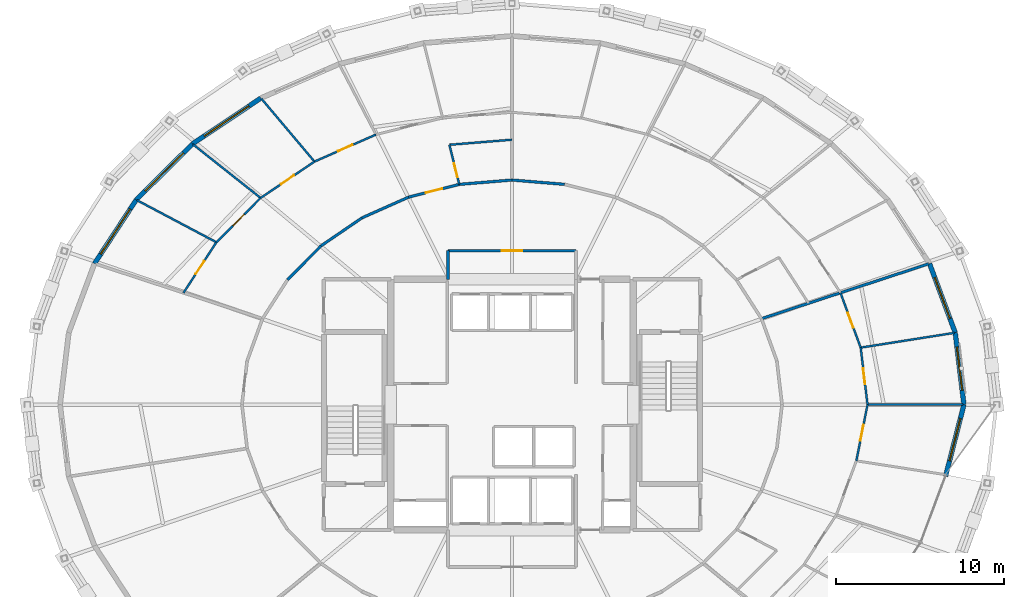
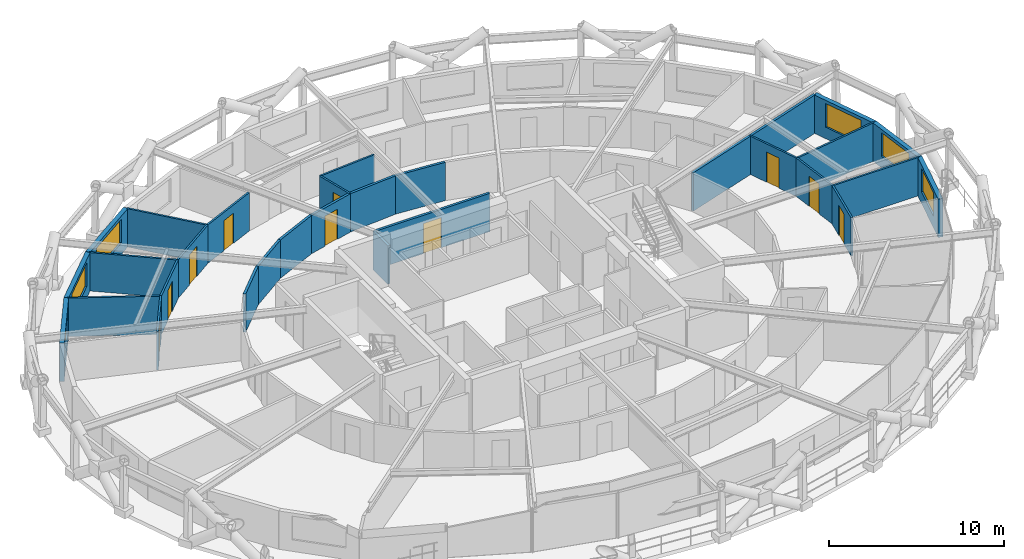
# One storey, part 18 of 23: 29 walls, 10 doors, 6 windows, 16 openings.
"""IFC4 building model written with IfcOpenShell, lengths in metres."""

from ifc_helpers import new_model, si_unit, direction, frame, frame_2d, origin, place, context, subcontext, project, spatial, rectangle, extrude, material, layer, layer_set, type_object, element, fill, save


model = new_model("IFC4")

# Units and contexts
model_context = context("Model", 3, precision=1e-05, world=origin(), true_north=direction((0.0, 1.0)))
body_context = subcontext(model_context, "Body", "Model", "MODEL_VIEW")
ifc_project = project(units=[si_unit("LENGTHUNIT", "METRE"), si_unit("AREAUNIT", "SQUARE_METRE"), si_unit("VOLUMEUNIT", "CUBIC_METRE"), si_unit("PLANEANGLEUNIT", "RADIAN"), si_unit("MASSUNIT", "GRAM", prefix="KILO")], contexts=[model_context])

# Site, building, storey
site_placement = place(None, origin())
site = spatial("IfcSite", under=ifc_project, at=site_placement, CompositionType="ELEMENT")
building_placement = place(site_placement, origin())
building = spatial("IfcBuilding", under=site, at=building_placement, Name="Veldorina Hangang Commons", CompositionType="ELEMENT")
storey_placement = place(building_placement, frame((0.0, 0.0, 102.39990234375)))
storey = spatial("IfcBuildingStorey", under=building, at=storey_placement, Name="L26", CompositionType="ELEMENT", Elevation=102.39990234375)

# Wall, opening, window
ifc_material_1 = material(Name="Stone Roman Travertine", Category="masonry")
ifc_layer_1 = layer(ifc_material_1, 0.280029296875)
ifc_layer_set_1 = layer_set([ifc_layer_1], Name="Stone Roman Travertine")
wall_type_1 = type_object("IfcWallType", Name="EW-TRAV-280", PredefinedType="STANDARD", material=ifc_layer_set_1)
wall_1_placement = place(storey_placement, frame((58.859619140625, 24.0, 0.0), z_axis=(0.0, 0.0, 1.0), x_axis=(-0.119853881621, 0.992791542601, 0.0)))
wall_1 = element("IfcWall", 1, at=wall_1_placement, inside=storey, type_object=wall_type_1, Name="L26 travertine facade wall 00", PredefinedType="STANDARD", context=body_context, shape_type="SweptSolid", body=[
    extrude(rectangle(XDim=4.30615234375, YDim=0.280029296875, at=frame_2d((2.153076171875, 0.0))), origin(), (0.0, 0.0, 1.0), 2.670166015625),
])
opening_1_placement = place(wall_1_placement, frame((0.85302734375, 0.0, 0.800048828125)))
opening_1 = element("IfcOpeningElement", 2, at=opening_1_placement, cuts=wall_1, Name="Opening W-02", PredefinedType="OPENING", context=body_context, shape_type="SweptSolid", body=[
    extrude(rectangle(XDim=2.60009765625, YDim=1.64990234375, at=frame_2d((1.300048828125, 0.824951171875))), frame((0.0, 0.14990234375, 0.0), z_axis=(0.0, -1.0, 0.0), x_axis=(1.0, 0.0, 0.0)), (0.0, 0.0, 1.0), 0.300048828125),
])
ifc_material_2 = material(Name="Glass Low-E Triple IGU", Category="glass")
window_type_1 = type_object("IfcWindowType", Name="WIN-TWR-2600", PartitioningType="SINGLE_PANEL", PredefinedType="WINDOW", material=ifc_material_2)
window_1_placement = place(opening_1_placement, origin())
window_1 = element("IfcWindow", 3, at=window_1_placement, inside=storey, type_object=window_type_1, Name="L26 facade window 00", OverallHeight=1.64990234375, OverallWidth=2.60009765625, PartitioningType="SINGLE_PANEL", PredefinedType="WINDOW", context=body_context, shape_type="SweptSolid", body=[
    extrude(rectangle(XDim=2.60009765625, YDim=1.64990234375, at=frame_2d((1.300048828125, 0.824951171875))), frame((0.0, 0.030029296875, 0.0), z_axis=(0.0, -1.0, 0.0), x_axis=(1.0, 0.0, 0.0)), (0.0, 0.0, 1.0), 0.06005859375),
])
fill(opening_1, window_1)

wall_2_placement = place(storey_placement, frame((58.343505859375, 28.275146484375, 0.0), z_axis=(0.0, 0.0, 1.0), x_axis=(-0.3485233369, 0.937300103295, 0.0)))
wall_2 = element("IfcWall", 4, at=wall_2_placement, inside=storey, type_object=wall_type_1, Name="L26 travertine facade wall 01", PredefinedType="STANDARD", context=body_context, shape_type="SweptSolid", body=[
    extrude(rectangle(XDim=4.3857421875, YDim=0.280029296875, at=frame_2d((2.19287109375, 0.0))), origin(), (0.0, 0.0, 1.0), 2.670166015625),
])
opening_2_placement = place(wall_2_placement, frame((0.892822265625, 0.0, 0.800048828125)))
opening_2 = element("IfcOpeningElement", 5, at=opening_2_placement, cuts=wall_2, Name="Opening W-02", PredefinedType="OPENING", context=body_context, shape_type="SweptSolid", body=[
    extrude(rectangle(XDim=2.60009765625, YDim=1.64990234375, at=frame_2d((1.300048828125, 0.824951171875))), frame((0.0, 0.14990234375, 0.0), z_axis=(0.0, -1.0, 0.0), x_axis=(1.0, 0.0, 0.0)), (0.0, 0.0, 1.0), 0.300048828125),
])
window_2_placement = place(opening_2_placement, origin())
window_2 = element("IfcWindow", 6, at=window_2_placement, inside=storey, type_object=window_type_1, Name="L26 facade window 01", OverallHeight=1.64990234375, OverallWidth=2.60009765625, PartitioningType="SINGLE_PANEL", PredefinedType="WINDOW", context=body_context, shape_type="SweptSolid", body=[
    extrude(rectangle(XDim=2.60009765625, YDim=1.64990234375, at=frame_2d((1.300048828125, 0.824951171875))), frame((0.0, 0.030029296875, 0.0), z_axis=(0.0, -1.0, 0.0), x_axis=(1.0, 0.0, 0.0)), (0.0, 0.0, 1.0), 0.06005859375),
])
fill(opening_2, window_2)

wall_3_placement = place(storey_placement, frame((17.07763671875, 42.220703125, 0.0), z_axis=(0.0, 0.0, 1.0), x_axis=(-0.830936801798, -0.556366813728, 0.0)))
wall_3 = element("IfcWall", 7, at=wall_3_placement, inside=storey, type_object=wall_type_1, Name="L26 travertine facade wall 11", PredefinedType="STANDARD", context=body_context, shape_type="SweptSolid", body=[
    extrude(rectangle(XDim=4.8984375, YDim=0.280029296875, at=frame_2d((2.44921875, 0.0))), origin(), (0.0, 0.0, 1.0), 2.670166015625),
])
opening_3_placement = place(wall_3_placement, frame((0.84912109375, 0.0, 0.800048828125)))
opening_3 = element("IfcOpeningElement", 8, at=opening_3_placement, cuts=wall_3, Name="Opening W-01", PredefinedType="OPENING", context=body_context, shape_type="SweptSolid", body=[
    extrude(rectangle(XDim=3.199951171875, YDim=1.64990234375, at=frame_2d((1.60009765625, 0.824951171875))), frame((0.0, 0.14990234375, 0.0), z_axis=(0.0, -1.0, 0.0), x_axis=(1.0, 0.0, 0.0)), (0.0, 0.0, 1.0), 0.300048828125),
])
window_type_2 = type_object("IfcWindowType", Name="WIN-TWR-3200", PartitioningType="SINGLE_PANEL", PredefinedType="WINDOW", material=ifc_material_2)
window_3_placement = place(opening_3_placement, origin())
window_3 = element("IfcWindow", 9, at=window_3_placement, inside=storey, type_object=window_type_2, Name="L26 facade window 11", OverallHeight=1.64990234375, OverallWidth=3.199951171875, PartitioningType="SINGLE_PANEL", PredefinedType="WINDOW", context=body_context, shape_type="SweptSolid", body=[
    extrude(rectangle(XDim=3.199951171875, YDim=1.64990234375, at=frame_2d((1.60009765625, 0.824951171875))), frame((0.0, 0.030029296875, 0.0), z_axis=(0.0, -1.0, 0.0), x_axis=(1.0, 0.0, 0.0)), (0.0, 0.0, 1.0), 0.06005859375),
])
fill(opening_3, window_3)

wall_4_placement = place(storey_placement, frame((13.00732421875, 39.495361328125, 0.0), z_axis=(0.0, 0.0, 1.0), x_axis=(-0.709177055594, -0.705030427583, 0.0)))
wall_4 = element("IfcWall", 10, at=wall_4_placement, inside=storey, type_object=wall_type_1, Name="L26 travertine facade wall 12", PredefinedType="STANDARD", context=body_context, shape_type="SweptSolid", body=[
    extrude(rectangle(XDim=4.710205078125, YDim=0.280029296875, at=frame_2d((2.35498046875, 0.0))), origin(), (0.0, 0.0, 1.0), 2.670166015625),
])
opening_4_placement = place(wall_4_placement, frame((0.7548828125, 0.0, 0.800048828125)))
opening_4 = element("IfcOpeningElement", 11, at=opening_4_placement, cuts=wall_4, Name="Opening W-01", PredefinedType="OPENING", context=body_context, shape_type="SweptSolid", body=[
    extrude(rectangle(XDim=3.199951171875, YDim=1.64990234375, at=frame_2d((1.60009765625, 0.824951171875))), frame((0.0, 0.14990234375, 0.0), z_axis=(0.0, -1.0, 0.0), x_axis=(1.0, 0.0, 0.0)), (0.0, 0.0, 1.0), 0.300048828125),
])
window_4_placement = place(opening_4_placement, origin())
window_4 = element("IfcWindow", 12, at=window_4_placement, inside=storey, type_object=window_type_2, Name="L26 facade window 12", OverallHeight=1.64990234375, OverallWidth=3.199951171875, PartitioningType="SINGLE_PANEL", PredefinedType="WINDOW", context=body_context, shape_type="SweptSolid", body=[
    extrude(rectangle(XDim=3.199951171875, YDim=1.64990234375, at=frame_2d((1.60009765625, 0.824951171875))), frame((0.0, 0.030029296875, 0.0), z_axis=(0.0, -1.0, 0.0), x_axis=(1.0, 0.0, 0.0)), (0.0, 0.0, 1.0), 0.06005859375),
])
fill(opening_4, window_4)

wall_5_placement = place(storey_placement, frame((9.6669921875, 36.174560546875, 0.0), z_axis=(0.0, 0.0, 1.0), x_axis=(-0.547989842324, -0.836484986542, 0.0)))
wall_5 = element("IfcWall", 13, at=wall_5_placement, inside=storey, type_object=wall_type_1, Name="L26 travertine facade wall 13", PredefinedType="STANDARD", context=body_context, shape_type="SweptSolid", body=[
    extrude(rectangle(XDim=4.529052734375, YDim=0.280029296875, at=frame_2d((2.2646484375, 0.0))), origin(), (0.0, 0.0, 1.0), 2.670166015625),
])
opening_5_placement = place(wall_5_placement, frame((0.66455078125, 0.0, 0.800048828125)))
opening_5 = element("IfcOpeningElement", 14, at=opening_5_placement, cuts=wall_5, Name="Opening W-01", PredefinedType="OPENING", context=body_context, shape_type="SweptSolid", body=[
    extrude(rectangle(XDim=3.199951171875, YDim=1.64990234375, at=frame_2d((1.60009765625, 0.824951171875))), frame((0.0, 0.14990234375, 0.0), z_axis=(0.0, -1.0, 0.0), x_axis=(1.0, 0.0, 0.0)), (0.0, 0.0, 1.0), 0.300048828125),
])
window_5_placement = place(opening_5_placement, origin())
window_5 = element("IfcWindow", 15, at=window_5_placement, inside=storey, type_object=window_type_2, Name="L26 facade window 13", OverallHeight=1.64990234375, OverallWidth=3.199951171875, PartitioningType="SINGLE_PANEL", PredefinedType="WINDOW", context=body_context, shape_type="SweptSolid", body=[
    extrude(rectangle(XDim=3.199951171875, YDim=1.64990234375, at=frame_2d((1.60009765625, 0.824951171875))), frame((0.0, 0.030029296875, 0.0), z_axis=(0.0, -1.0, 0.0), x_axis=(1.0, 0.0, 0.0)), (0.0, 0.0, 1.0), 0.06005859375),
])
fill(opening_5, window_5)

wall_6_placement = place(storey_placement, frame((57.771484375, 19.7451171875, 0.0), z_axis=(0.0, 0.0, 1.0), x_axis=(0.247764086513, 0.968820394828, 0.0)))
wall_6 = element("IfcWall", 16, at=wall_6_placement, inside=storey, type_object=wall_type_1, Name="L26 travertine facade wall 31", PredefinedType="STANDARD", context=body_context, shape_type="SweptSolid", body=[
    extrude(rectangle(XDim=4.391845703125, YDim=0.280029296875, at=frame_2d((2.19580078125, 0.0))), origin(), (0.0, 0.0, 1.0), 2.670166015625),
])
opening_6_placement = place(wall_6_placement, frame((0.94189453125, 0.0, 0.800048828125)))
opening_6 = element("IfcOpeningElement", 17, at=opening_6_placement, cuts=wall_6, Name="Opening W-02", PredefinedType="OPENING", context=body_context, shape_type="SweptSolid", body=[
    extrude(rectangle(XDim=2.60009765625, YDim=1.64990234375, at=frame_2d((1.300048828125, 0.824951171875))), frame((0.0, 0.14990234375, 0.0), z_axis=(0.0, -1.0, 0.0), x_axis=(1.0, 0.0, 0.0)), (0.0, 0.0, 1.0), 0.300048828125),
])
window_6_placement = place(opening_6_placement, origin())
window_6 = element("IfcWindow", 18, at=window_6_placement, inside=storey, type_object=window_type_1, Name="L26 facade window 31", OverallHeight=1.64990234375, OverallWidth=2.60009765625, PartitioningType="SINGLE_PANEL", PredefinedType="WINDOW", context=body_context, shape_type="SweptSolid", body=[
    extrude(rectangle(XDim=2.60009765625, YDim=1.64990234375, at=frame_2d((1.300048828125, 0.824951171875))), frame((0.0, 0.030029296875, 0.0), z_axis=(0.0, -1.0, 0.0), x_axis=(1.0, 0.0, 0.0)), (0.0, 0.0, 1.0), 0.06005859375),
])
fill(opening_6, window_6)

# Wall
ifc_material_3 = material(Name="Gypsum Fire-Rated Twin Stud Wall", Category="gypsum")
ifc_layer_2 = layer(ifc_material_3, 0.159912109375)
ifc_layer_set_2 = layer_set([ifc_layer_2], Name="Gypsum Fire-Rated Twin Stud Wall")
wall_type_2 = type_object("IfcWallType", Name="WL-FIRE-160", PredefinedType="SOLIDWALL", material=ifc_layer_set_2)
wall_7_placement = place(storey_placement, frame((28.199951171875, 31.449951171875, 0.0), z_axis=(0.0, 0.0, 1.0), x_axis=(0.0, 1.0, 0.0)))
element("IfcWall", 19, at=wall_7_placement, inside=storey, type_object=wall_type_2, Name="L26 North lobby west wall 032", PredefinedType="SOLIDWALL", context=body_context, shape_type="SweptSolid", body=[
    extrude(rectangle(XDim=1.699951171875, YDim=0.159912109375, at=frame_2d((0.85009765625, 0.0))), origin(), (0.0, 0.0, 1.0), 2.670166015625),
])

# Wall, opening, door
wall_8_placement = place(storey_placement, frame((28.199951171875, 33.14990234375, 0.0), z_axis=(0.0, 0.0, 1.0), x_axis=(1.0, 0.0, 0.0)))
wall_8 = element("IfcWall", 20, at=wall_8_placement, inside=storey, type_object=wall_type_2, Name="L26 North lobby north wall 034", PredefinedType="SOLIDWALL", context=body_context, shape_type="SweptSolid", body=[
    extrude(rectangle(XDim=7.60009765625, YDim=0.159912109375, at=frame_2d((3.800048828125, 0.0))), origin(), (0.0, 0.0, 1.0), 2.670166015625),
])
opening_7_placement = place(wall_8_placement, frame((3.199951171875, 0.0, 0.0)))
opening_7 = element("IfcOpeningElement", 21, at=opening_7_placement, cuts=wall_8, Name="Opening D-09", PredefinedType="OPENING", context=body_context, shape_type="SweptSolid", body=[
    extrude(rectangle(XDim=1.199951171875, YDim=2.10009765625, at=frame_2d((0.60009765625, 1.050048828125))), frame((0.0, 0.08984375, 0.0), z_axis=(0.0, -1.0, 0.0), x_axis=(1.0, 0.0, 0.0)), (0.0, 0.0, 1.0), 0.179931640625),
])
ifc_material_4 = material(Name="Steel Fire-Rated Corridor Door", Category="steel")
door_type_1 = type_object("IfcDoorType", Name="DR-FIRE-1200", OperationType="SINGLE_SWING_LEFT", PredefinedType="DOOR", material=ifc_material_4)
door_1_placement = place(opening_7_placement, origin())
door_1 = element("IfcDoor", 22, at=door_1_placement, inside=storey, type_object=door_type_1, Name="L26 North lift lobby corridor door 012", OperationType="SINGLE_SWING_RIGHT", OverallHeight=2.10009765625, OverallWidth=1.199951171875, PredefinedType="DOOR", context=body_context, shape_type="SweptSolid", body=[
    extrude(rectangle(XDim=1.199951171875, YDim=2.10009765625, at=frame_2d((0.60009765625, 1.050048828125))), frame((0.0, 0.02490234375, 0.0), z_axis=(0.0, -1.0, 0.0), x_axis=(1.0, 0.0, 0.0)), (0.0, 0.0, 1.0), 0.050048828125),
])
fill(opening_7, door_1)

# Walls
for number, where, z_axis, x_axis, name in (
    (23, (35.131103515625, 37.093505859375, 0.0), (0.0, 0.0, 1.0), (-0.996658973252, 0.081675522876, 0.0), "L26 Corridor outer wall 07 052"),
    (24, (32.0, 37.35009765625, 0.0), (0.0, 0.0, 1.0), (-0.996658973252, -0.081675522876, 0.0), "L26 Corridor outer wall 08 053"),
):
    element("IfcWall", number, at=place(storey_placement, frame(where, z_axis=z_axis, x_axis=x_axis)), inside=storey, type_object=wall_type_2, Name=name, PredefinedType="SOLIDWALL", context=body_context, shape_type="SweptSolid", body=[
        extrude(rectangle(XDim=3.1416015625, YDim=0.159912109375, at=frame_2d((1.57080078125, 0.0))), origin(), (0.0, 0.0, 1.0), 2.670166015625),
    ])

# Wall, opening, door
wall_9_placement = place(storey_placement, frame((28.868896484375, 37.093505859375, 0.0), z_axis=(0.0, 0.0, 1.0), x_axis=(-0.969608333194, -0.244662380029, 0.0)))
wall_9 = element("IfcWall", 25, at=wall_9_placement, inside=storey, type_object=wall_type_2, Name="L26 Corridor outer wall 09 054", PredefinedType="SOLIDWALL", context=body_context, shape_type="SweptSolid", body=[
    extrude(rectangle(XDim=3.10546875, YDim=0.159912109375, at=frame_2d((1.552734375, 0.0))), origin(), (0.0, 0.0, 1.0), 2.670166015625),
])
opening_8_placement = place(wall_9_placement, frame((1.052734375, 0.0, 0.0)))
opening_8 = element("IfcOpeningElement", 26, at=opening_8_placement, cuts=wall_9, Name="Opening D-06", PredefinedType="OPENING", context=body_context, shape_type="SweptSolid", body=[
    extrude(rectangle(XDim=1.0, YDim=2.10009765625, at=frame_2d((0.5, 1.050048828125))), frame((0.0, 0.08984375, 0.0), z_axis=(0.0, -1.0, 0.0), x_axis=(1.0, 0.0, 0.0)), (0.0, 0.0, 1.0), 0.179931640625),
])
ifc_material_5 = material(Name="Timber Fire-Rated Entrance Core", Category="wood")
door_type_2 = type_object("IfcDoorType", Name="DR-UNIT-1000", OperationType="SINGLE_SWING_LEFT", PredefinedType="DOOR", material=ifc_material_5)
door_2_placement = place(opening_8_placement, origin())
door_2 = element("IfcDoor", 27, at=door_2_placement, inside=storey, type_object=door_type_2, Name="L26 Cluster 4 entrance door 038", OperationType="SINGLE_SWING_RIGHT", OverallHeight=2.10009765625, OverallWidth=1.0, PredefinedType="DOOR", context=body_context, shape_type="SweptSolid", body=[
    extrude(rectangle(XDim=1.0, YDim=2.10009765625, at=frame_2d((0.5, 1.050048828125))), frame((0.0, 0.02490234375, 0.0), z_axis=(0.0, -1.0, 0.0), x_axis=(1.0, 0.0, 0.0)), (0.0, 0.0, 1.0), 0.050048828125),
])
fill(opening_8, door_2)

# Walls
wall_10_placement = place(storey_placement, frame((25.85791015625, 36.333740234375, 0.0), z_axis=(0.0, 0.0, 1.0), x_axis=(-0.913768445178, -0.406235434936, 0.0)))
element("IfcWall", 28, at=wall_10_placement, inside=storey, type_object=wall_type_2, Name="L26 Corridor outer wall 10 055", PredefinedType="SOLIDWALL", context=body_context, shape_type="SweptSolid", body=[
    extrude(rectangle(XDim=3.036865234375, YDim=0.159912109375, at=frame_2d((1.5185546875, 0.0))), origin(), (0.0, 0.0, 1.0), 2.670166015625),
])
wall_11_placement = place(storey_placement, frame((23.0830078125, 35.10009765625, 0.0), z_axis=(0.0, 0.0, 1.0), x_axis=(-0.825929039072, -0.563774088104, 0.0)))
element("IfcWall", 29, at=wall_11_placement, inside=storey, type_object=wall_type_2, Name="L26 Corridor outer wall 11 056", PredefinedType="SOLIDWALL", context=body_context, shape_type="SweptSolid", body=[
    extrude(rectangle(XDim=2.94482421875, YDim=0.159912109375, at=frame_2d((1.472412109375, 0.0))), origin(), (0.0, 0.0, 1.0), 2.670166015625),
])
wall_12_placement = place(storey_placement, frame((20.65087890625, 33.43994140625, 0.0), z_axis=(0.0, 0.0, 1.0), x_axis=(-0.702366174226, -0.711815816981, 0.0)))
element("IfcWall", 30, at=wall_12_placement, inside=storey, type_object=wall_type_2, Name="L26 Corridor outer wall 12 057", PredefinedType="SOLIDWALL", context=body_context, shape_type="SweptSolid", body=[
    extrude(rectangle(XDim=2.842041015625, YDim=0.159912109375, at=frame_2d((1.4208984375, 0.0))), origin(), (0.0, 0.0, 1.0), 2.670166015625),
])
wall_13_placement = place(storey_placement, frame((46.828369140625, 29.10888671875, 0.0), z_axis=(0.0, 0.0, 1.0), x_axis=(0.95015260274, 0.311785232984, 0.0)))
element("IfcWall", 31, at=wall_13_placement, inside=storey, type_object=wall_type_2, Name="L26 Unit party wall 02 096", PredefinedType="SOLIDWALL", context=body_context, shape_type="SweptSolid", body=[
    extrude(rectangle(XDim=10.460693359375, YDim=0.159912109375, at=frame_2d((5.23046875, 0.0))), origin(), (0.0, 0.0, 1.0), 2.670166015625),
])

# Wall, opening, door
ifc_material_6 = material(Name="Gypsum Acoustic Stud Partition", Category="gypsum")
ifc_layer_3 = layer(ifc_material_6, 0.1201171875)
ifc_layer_set_3 = layer_set([ifc_layer_3], Name="Gypsum Acoustic Stud Partition")
wall_type_3 = type_object("IfcWallType", Name="WL-PART-120", PredefinedType="PARTITIONING", material=ifc_layer_set_3)
wall_14_placement = place(storey_placement, frame((52.46630859375, 20.66162109375, 0.0), z_axis=(0.0, 0.0, 1.0), x_axis=(0.195164304361, 0.980770561499, 0.0)))
wall_14 = element("IfcWall", 32, at=wall_14_placement, inside=storey, type_object=wall_type_3, Name="L26 Cluster 2 bed 4 front wall 090", PredefinedType="PARTITIONING", context=body_context, shape_type="SweptSolid", body=[
    extrude(rectangle(XDim=3.40380859375, YDim=0.1201171875, at=frame_2d((1.701904296875, 0.0))), origin(), (0.0, 0.0, 1.0), 2.670166015625),
])
opening_9_placement = place(wall_14_placement, frame((1.226806640625, 0.0, 0.0)))
opening_9 = element("IfcOpeningElement", 33, at=opening_9_placement, cuts=wall_14, Name="Opening D-02", PredefinedType="OPENING", context=body_context, shape_type="SweptSolid", body=[
    extrude(rectangle(XDim=0.949951171875, YDim=2.10009765625, at=frame_2d((0.47509765625, 1.050048828125))), frame((0.0, 0.070068359375, 0.0), z_axis=(0.0, -1.0, 0.0), x_axis=(1.0, 0.0, 0.0)), (0.0, 0.0, 1.0), 0.14013671875),
])
ifc_material_7 = material(Name="Timber Solid Core Acoustic", Category="wood")
door_type_3 = type_object("IfcDoorType", Name="DR-INT-950", OperationType="SINGLE_SWING_LEFT", PredefinedType="DOOR", material=ifc_material_7)
door_3_placement = place(opening_9_placement, origin())
door_3 = element("IfcDoor", 34, at=door_3_placement, inside=storey, type_object=door_type_3, Name="L26 Cluster 2 bed 4 door 026", OperationType="SINGLE_SWING_RIGHT", OverallHeight=2.10009765625, OverallWidth=0.949951171875, PredefinedType="DOOR", context=body_context, shape_type="SweptSolid", body=[
    extrude(rectangle(XDim=0.949951171875, YDim=2.10009765625, at=frame_2d((0.47509765625, 1.050048828125))), frame((0.0, 0.02490234375, 0.0), z_axis=(0.0, -1.0, 0.0), x_axis=(1.0, 0.0, 0.0)), (0.0, 0.0, 1.0), 0.050048828125),
])
fill(opening_9, door_3)

wall_15_placement = place(storey_placement, frame((53.130615234375, 24.0, 0.0), z_axis=(0.0, 0.0, 1.0), x_axis=(-0.118928080867, 0.992902871172, 0.0)))
wall_15 = element("IfcWall", 35, at=wall_15_placement, inside=storey, type_object=wall_type_3, Name="L26 Cluster 2 bed 5 front wall 092", PredefinedType="PARTITIONING", context=body_context, shape_type="SweptSolid", body=[
    extrude(rectangle(XDim=3.413818359375, YDim=0.1201171875, at=frame_2d((1.70703125, 0.0))), origin(), (0.0, 0.0, 1.0), 2.670166015625),
])
opening_10_placement = place(wall_15_placement, frame((1.23193359375, 0.0, 0.0)))
opening_10 = element("IfcOpeningElement", 36, at=opening_10_placement, cuts=wall_15, Name="Opening D-02", PredefinedType="OPENING", context=body_context, shape_type="SweptSolid", body=[
    extrude(rectangle(XDim=0.949951171875, YDim=2.10009765625, at=frame_2d((0.47509765625, 1.050048828125))), frame((0.0, 0.070068359375, 0.0), z_axis=(0.0, -1.0, 0.0), x_axis=(1.0, 0.0, 0.0)), (0.0, 0.0, 1.0), 0.14013671875),
])
door_4_placement = place(opening_10_placement, origin())
door_4 = element("IfcDoor", 37, at=door_4_placement, inside=storey, type_object=door_type_3, Name="L26 Cluster 2 bed 5 door 027", OperationType="SINGLE_SWING_LEFT", OverallHeight=2.10009765625, OverallWidth=0.949951171875, PredefinedType="DOOR", context=body_context, shape_type="SweptSolid", body=[
    extrude(rectangle(XDim=0.949951171875, YDim=2.10009765625, at=frame_2d((0.47509765625, 1.050048828125))), frame((0.0, 0.02490234375, 0.0), z_axis=(0.0, -1.0, 0.0), x_axis=(1.0, 0.0, 0.0)), (0.0, 0.0, 1.0), 0.050048828125),
])
fill(opening_10, door_4)

# Wall
wall_16_placement = place(storey_placement, frame((53.130615234375, 24.0, 0.0), z_axis=(0.0, 0.0, 1.0), x_axis=(1.0, 0.0, 0.0)))
element("IfcWall", 38, at=wall_16_placement, inside=storey, type_object=wall_type_3, Name="L26 Cluster 2 bed divider 4 093", PredefinedType="PARTITIONING", context=body_context, shape_type="SweptSolid", body=[
    extrude(rectangle(XDim=5.678955078125, YDim=0.1201171875, at=frame_2d((2.83935546875, 0.0))), origin(), (0.0, 0.0, 1.0), 2.670166015625),
])

# Wall, opening, door
wall_17_placement = place(storey_placement, frame((52.724609375, 27.3896484375, 0.0), z_axis=(0.0, 0.0, 1.0), x_axis=(-0.346151450403, 0.938178646839, 0.0)))
wall_17 = element("IfcWall", 39, at=wall_17_placement, inside=storey, type_object=wall_type_3, Name="L26 Cluster 2 bed 6 front wall 094", PredefinedType="PARTITIONING", context=body_context, shape_type="SweptSolid", body=[
    extrude(rectangle(XDim=3.474365234375, YDim=0.1201171875, at=frame_2d((1.7373046875, 0.0))), origin(), (0.0, 0.0, 1.0), 2.670166015625),
])
opening_11_placement = place(wall_17_placement, frame((1.261962890625, 0.0, 0.0)))
opening_11 = element("IfcOpeningElement", 40, at=opening_11_placement, cuts=wall_17, Name="Opening D-02", PredefinedType="OPENING", context=body_context, shape_type="SweptSolid", body=[
    extrude(rectangle(XDim=0.949951171875, YDim=2.10009765625, at=frame_2d((0.47509765625, 1.050048828125))), frame((0.0, 0.070068359375, 0.0), z_axis=(0.0, -1.0, 0.0), x_axis=(1.0, 0.0, 0.0)), (0.0, 0.0, 1.0), 0.14013671875),
])
door_5_placement = place(opening_11_placement, origin())
door_5 = element("IfcDoor", 41, at=door_5_placement, inside=storey, type_object=door_type_3, Name="L26 Cluster 2 bed 6 door 028", OperationType="SINGLE_SWING_RIGHT", OverallHeight=2.10009765625, OverallWidth=0.949951171875, PredefinedType="DOOR", context=body_context, shape_type="SweptSolid", body=[
    extrude(rectangle(XDim=0.949951171875, YDim=2.10009765625, at=frame_2d((0.47509765625, 1.050048828125))), frame((0.0, 0.02490234375, 0.0), z_axis=(0.0, -1.0, 0.0), x_axis=(1.0, 0.0, 0.0)), (0.0, 0.0, 1.0), 0.050048828125),
])
fill(opening_11, door_5)

# Walls
wall_18_placement = place(storey_placement, frame((52.724609375, 27.3896484375, 0.0), z_axis=(0.0, 0.0, 1.0), x_axis=(0.987809965593, 0.155664613436, 0.0)))
element("IfcWall", 42, at=wall_18_placement, inside=storey, type_object=wall_type_3, Name="L26 Cluster 2 bed divider 5 095", PredefinedType="PARTITIONING", context=body_context, shape_type="SweptSolid", body=[
    extrude(rectangle(XDim=5.638427734375, YDim=0.1201171875, at=frame_2d((2.8193359375, 0.0))), origin(), (0.0, 0.0, 1.0), 2.670166015625),
])
wall_19_placement = place(storey_placement, frame((32.0, 39.747802734375, 0.0), z_axis=(0.0, 0.0, 1.0), x_axis=(-0.99671322873, -0.081010738021, 0.0)))
element("IfcWall", 43, at=wall_19_placement, inside=storey, type_object=wall_type_3, Name="L26 Cluster 4 bath front wall 111", PredefinedType="PARTITIONING", context=body_context, shape_type="SweptSolid", body=[
    extrude(rectangle(XDim=3.73388671875, YDim=0.1201171875, at=frame_2d((1.866943359375, 0.0))), origin(), (0.0, 0.0, 1.0), 2.670166015625),
])

# Wall, opening, door
wall_20_placement = place(storey_placement, frame((28.868896484375, 37.093505859375, 0.0), z_axis=(0.0, 0.0, 1.0), x_axis=(-0.243554174744, 0.969887294465, 0.0)))
wall_20 = element("IfcWall", 44, at=wall_20_placement, inside=storey, type_object=wall_type_3, Name="L26 Cluster 4 bath side wall 112", PredefinedType="PARTITIONING", context=body_context, shape_type="SweptSolid", body=[
    extrude(rectangle(XDim=2.4248046875, YDim=0.1201171875, at=frame_2d((1.21240234375, 0.0))), origin(), (0.0, 0.0, 1.0), 2.670166015625),
])
opening_12_placement = place(wall_20_placement, frame((0.43994140625, 0.0, 0.0)))
opening_12 = element("IfcOpeningElement", 45, at=opening_12_placement, cuts=wall_20, Name="Opening D-01", PredefinedType="OPENING", context=body_context, shape_type="SweptSolid", body=[
    extrude(rectangle(XDim=0.860107421875, YDim=2.10009765625, at=frame_2d((0.43017578125, 1.050048828125))), frame((0.0, 0.070068359375, 0.0), z_axis=(0.0, -1.0, 0.0), x_axis=(1.0, 0.0, 0.0)), (0.0, 0.0, 1.0), 0.14013671875),
])
ifc_material_8 = material(Name="Timber Moisture-Resistant Core", Category="wood")
door_type_4 = type_object("IfcDoorType", Name="DR-WET-860", OperationType="SINGLE_SWING_LEFT", PredefinedType="DOOR", material=ifc_material_8)
door_6_placement = place(opening_12_placement, origin())
door_6 = element("IfcDoor", 46, at=door_6_placement, inside=storey, type_object=door_type_4, Name="L26 Cluster 4 shared bathroom door 037", OperationType="SINGLE_SWING_LEFT", OverallHeight=2.10009765625, OverallWidth=0.860107421875, PredefinedType="DOOR", context=body_context, shape_type="SweptSolid", body=[
    extrude(rectangle(XDim=0.860107421875, YDim=2.10009765625, at=frame_2d((0.43017578125, 1.050048828125))), frame((0.0, 0.02490234375, 0.0), z_axis=(0.0, -1.0, 0.0), x_axis=(1.0, 0.0, 0.0)), (0.0, 0.0, 1.0), 0.050048828125),
])
fill(opening_12, door_6)

wall_21_placement = place(storey_placement, frame((23.913818359375, 40.05224609375, 0.0), z_axis=(0.0, 0.0, 1.0), x_axis=(-0.915498969217, -0.402320316865, 0.0)))
wall_21 = element("IfcWall", 47, at=wall_21_placement, inside=storey, type_object=wall_type_3, Name="L26 Cluster 4 bed 3 front wall 116", PredefinedType="PARTITIONING", context=body_context, shape_type="SweptSolid", body=[
    extrude(rectangle(XDim=3.990478515625, YDim=0.1201171875, at=frame_2d((1.9951171875, 0.0))), origin(), (0.0, 0.0, 1.0), 2.670166015625),
])
opening_13_placement = place(wall_21_placement, frame((1.520263671875, 0.0, 0.0)))
opening_13 = element("IfcOpeningElement", 48, at=opening_13_placement, cuts=wall_21, Name="Opening D-02", PredefinedType="OPENING", context=body_context, shape_type="SweptSolid", body=[
    extrude(rectangle(XDim=0.949951171875, YDim=2.10009765625, at=frame_2d((0.47509765625, 1.050048828125))), frame((0.0, 0.070068359375, 0.0), z_axis=(0.0, -1.0, 0.0), x_axis=(1.0, 0.0, 0.0)), (0.0, 0.0, 1.0), 0.14013671875),
])
door_7_placement = place(opening_13_placement, origin())
door_7 = element("IfcDoor", 49, at=door_7_placement, inside=storey, type_object=door_type_3, Name="L26 Cluster 4 bed 3 door 041", OperationType="SINGLE_SWING_LEFT", OverallHeight=2.10009765625, OverallWidth=0.949951171875, PredefinedType="DOOR", context=body_context, shape_type="SweptSolid", body=[
    extrude(rectangle(XDim=0.949951171875, YDim=2.10009765625, at=frame_2d((0.47509765625, 1.050048828125))), frame((0.0, 0.02490234375, 0.0), z_axis=(0.0, -1.0, 0.0), x_axis=(1.0, 0.0, 0.0)), (0.0, 0.0, 1.0), 0.050048828125),
])
fill(opening_13, door_7)

wall_22_placement = place(storey_placement, frame((20.260498046875, 38.44677734375, 0.0), z_axis=(0.0, 0.0, 1.0), x_axis=(-0.828896296571, -0.55940229668, 0.0)))
wall_22 = element("IfcWall", 50, at=wall_22_placement, inside=storey, type_object=wall_type_3, Name="L26 Cluster 4 bed 4 front wall 118", PredefinedType="PARTITIONING", context=body_context, shape_type="SweptSolid", body=[
    extrude(rectangle(XDim=3.86279296875, YDim=0.1201171875, at=frame_2d((1.931396484375, 0.0))), origin(), (0.0, 0.0, 1.0), 2.670166015625),
])
opening_14_placement = place(wall_22_placement, frame((1.456298828125, 0.0, 0.0)))
opening_14 = element("IfcOpeningElement", 51, at=opening_14_placement, cuts=wall_22, Name="Opening D-02", PredefinedType="OPENING", context=body_context, shape_type="SweptSolid", body=[
    extrude(rectangle(XDim=0.949951171875, YDim=2.10009765625, at=frame_2d((0.47509765625, 1.050048828125))), frame((0.0, 0.070068359375, 0.0), z_axis=(0.0, -1.0, 0.0), x_axis=(1.0, 0.0, 0.0)), (0.0, 0.0, 1.0), 0.14013671875),
])
door_8_placement = place(opening_14_placement, origin())
door_8 = element("IfcDoor", 52, at=door_8_placement, inside=storey, type_object=door_type_3, Name="L26 Cluster 4 bed 4 door 042", OperationType="SINGLE_SWING_RIGHT", OverallHeight=2.10009765625, OverallWidth=0.949951171875, PredefinedType="DOOR", context=body_context, shape_type="SweptSolid", body=[
    extrude(rectangle(XDim=0.949951171875, YDim=2.10009765625, at=frame_2d((0.47509765625, 1.050048828125))), frame((0.0, 0.02490234375, 0.0), z_axis=(0.0, -1.0, 0.0), x_axis=(1.0, 0.0, 0.0)), (0.0, 0.0, 1.0), 0.050048828125),
])
fill(opening_14, door_8)

# Wall
wall_23_placement = place(storey_placement, frame((20.260498046875, 38.44677734375, 0.0), z_axis=(0.0, 0.0, 1.0), x_axis=(-0.644718627515, 0.764419970524, 0.0)))
element("IfcWall", 53, at=wall_23_placement, inside=storey, type_object=wall_type_3, Name="L26 Cluster 4 bed divider 3 119", PredefinedType="PARTITIONING", context=body_context, shape_type="SweptSolid", body=[
    extrude(rectangle(XDim=4.88671875, YDim=0.1201171875, at=frame_2d((2.443359375, 0.0))), origin(), (0.0, 0.0, 1.0), 2.670166015625),
])

# Wall, opening, door
wall_24_placement = place(storey_placement, frame((17.05859375, 36.285888671875, 0.0), z_axis=(0.0, 0.0, 1.0), x_axis=(-0.706450168387, -0.707762784827, 0.0)))
wall_24 = element("IfcWall", 54, at=wall_24_placement, inside=storey, type_object=wall_type_3, Name="L26 Cluster 4 bed 5 front wall 120", PredefinedType="PARTITIONING", context=body_context, shape_type="SweptSolid", body=[
    extrude(rectangle(XDim=3.719970703125, YDim=0.1201171875, at=frame_2d((1.85986328125, 0.0))), origin(), (0.0, 0.0, 1.0), 2.670166015625),
])
opening_15_placement = place(wall_24_placement, frame((1.385009765625, 0.0, 0.0)))
opening_15 = element("IfcOpeningElement", 55, at=opening_15_placement, cuts=wall_24, Name="Opening D-02", PredefinedType="OPENING", context=body_context, shape_type="SweptSolid", body=[
    extrude(rectangle(XDim=0.949951171875, YDim=2.10009765625, at=frame_2d((0.47509765625, 1.050048828125))), frame((0.0, 0.070068359375, 0.0), z_axis=(0.0, -1.0, 0.0), x_axis=(1.0, 0.0, 0.0)), (0.0, 0.0, 1.0), 0.14013671875),
])
door_9_placement = place(opening_15_placement, origin())
door_9 = element("IfcDoor", 56, at=door_9_placement, inside=storey, type_object=door_type_3, Name="L26 Cluster 4 bed 5 door 043", OperationType="SINGLE_SWING_LEFT", OverallHeight=2.10009765625, OverallWidth=0.949951171875, PredefinedType="DOOR", context=body_context, shape_type="SweptSolid", body=[
    extrude(rectangle(XDim=0.949951171875, YDim=2.10009765625, at=frame_2d((0.47509765625, 1.050048828125))), frame((0.0, 0.02490234375, 0.0), z_axis=(0.0, -1.0, 0.0), x_axis=(1.0, 0.0, 0.0)), (0.0, 0.0, 1.0), 0.050048828125),
])
fill(opening_15, door_9)

# Wall
wall_25_placement = place(storey_placement, frame((17.05859375, 36.285888671875, 0.0), z_axis=(0.0, 0.0, 1.0), x_axis=(-0.783824285958, 0.620982679905, 0.0)))
element("IfcWall", 57, at=wall_25_placement, inside=storey, type_object=wall_type_3, Name="L26 Cluster 4 bed divider 4 121", PredefinedType="PARTITIONING", context=body_context, shape_type="SweptSolid", body=[
    extrude(rectangle(XDim=5.118408203125, YDim=0.1201171875, at=frame_2d((2.55908203125, 0.0))), origin(), (0.0, 0.0, 1.0), 2.670166015625),
])

# Wall, opening, door
wall_26_placement = place(storey_placement, frame((14.4306640625, 33.653076171875, 0.0), z_axis=(0.0, 0.0, 1.0), x_axis=(-0.545007511922, -0.838431161127, 0.0)))
wall_26 = element("IfcWall", 58, at=wall_26_placement, inside=storey, type_object=wall_type_3, Name="L26 Cluster 4 bed 6 front wall 122", PredefinedType="PARTITIONING", context=body_context, shape_type="SweptSolid", body=[
    extrude(rectangle(XDim=3.582763671875, YDim=0.1201171875, at=frame_2d((1.79150390625, 0.0))), origin(), (0.0, 0.0, 1.0), 2.670166015625),
])
opening_16_placement = place(wall_26_placement, frame((1.31640625, 0.0, 0.0)))
opening_16 = element("IfcOpeningElement", 59, at=opening_16_placement, cuts=wall_26, Name="Opening D-02", PredefinedType="OPENING", context=body_context, shape_type="SweptSolid", body=[
    extrude(rectangle(XDim=0.949951171875, YDim=2.10009765625, at=frame_2d((0.47509765625, 1.050048828125))), frame((0.0, 0.070068359375, 0.0), z_axis=(0.0, -1.0, 0.0), x_axis=(1.0, 0.0, 0.0)), (0.0, 0.0, 1.0), 0.14013671875),
])
door_10_placement = place(opening_16_placement, origin())
door_10 = element("IfcDoor", 60, at=door_10_placement, inside=storey, type_object=door_type_3, Name="L26 Cluster 4 bed 6 door 044", OperationType="SINGLE_SWING_RIGHT", OverallHeight=2.10009765625, OverallWidth=0.949951171875, PredefinedType="DOOR", context=body_context, shape_type="SweptSolid", body=[
    extrude(rectangle(XDim=0.949951171875, YDim=2.10009765625, at=frame_2d((0.47509765625, 1.050048828125))), frame((0.0, 0.02490234375, 0.0), z_axis=(0.0, -1.0, 0.0), x_axis=(1.0, 0.0, 0.0)), (0.0, 0.0, 1.0), 0.050048828125),
])
fill(opening_16, door_10)

# Wall
wall_27_placement = place(storey_placement, frame((14.4306640625, 33.653076171875, 0.0), z_axis=(0.0, 0.0, 1.0), x_axis=(-0.883826837668, 0.467814194973, 0.0)))
element("IfcWall", 61, at=wall_27_placement, inside=storey, type_object=wall_type_3, Name="L26 Cluster 4 bed divider 5 123", PredefinedType="PARTITIONING", context=body_context, shape_type="SweptSolid", body=[
    extrude(rectangle(XDim=5.33984375, YDim=0.1201171875, at=frame_2d((2.669921875, 0.0))), origin(), (0.0, 0.0, 1.0), 2.670166015625),
])

save(model, "model.ifc")
